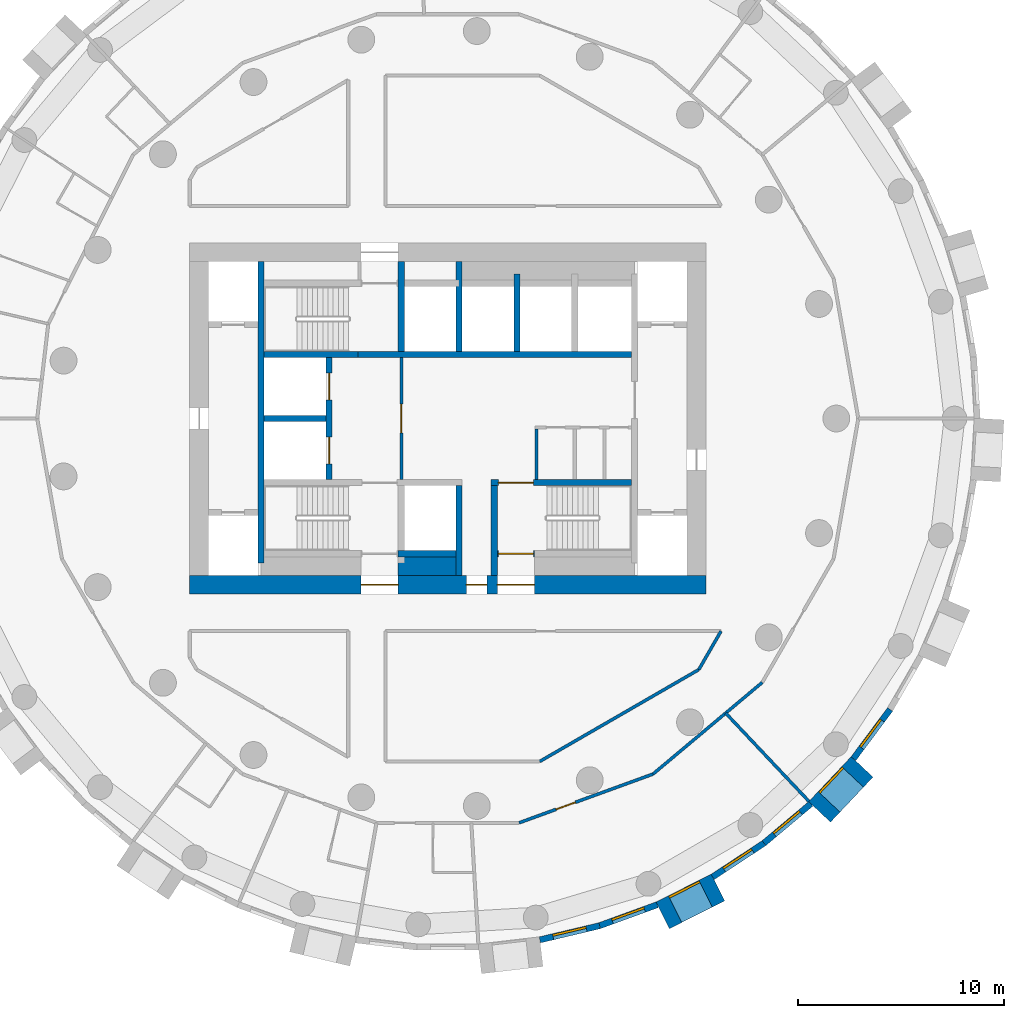
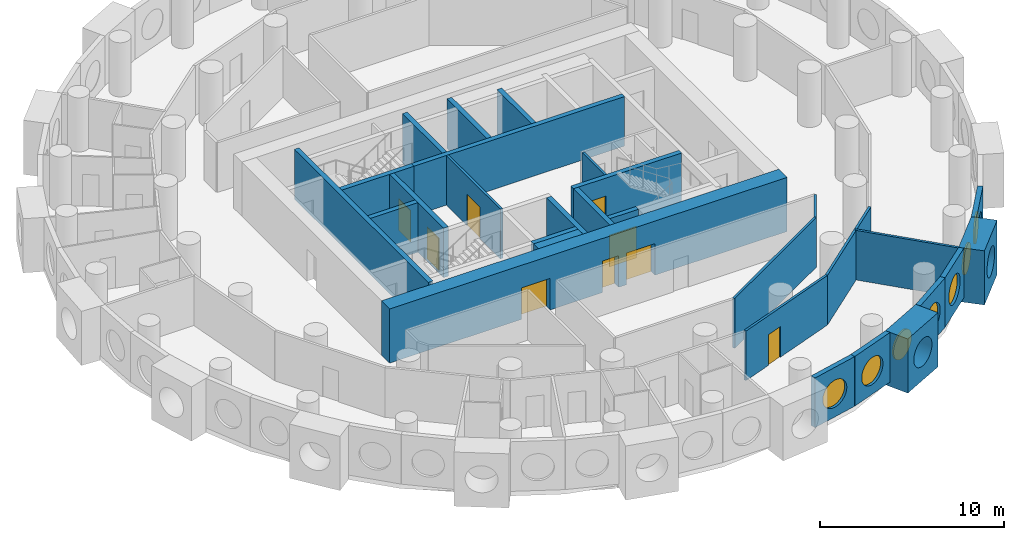
# One storey, part 4 of 9: 29 walls, 9 doors, 7 windows, 16 openings.
"""IFC4 building model written with IfcOpenShell, lengths in metres."""

from ifc_helpers import new_model, si_unit, direction, frame, frame_2d, origin, origin_2d, place, context, subcontext, project, spatial, rectangle, circle, extrude, material, layer, layer_set, type_object, element, fill, save


model = new_model("IFC4")

# Units and contexts
model_context = context("Model", 3, precision=1e-05, world=origin(), true_north=direction((0.0, 1.0)))
body_context = subcontext(model_context, "Body", "Model", "MODEL_VIEW")
ifc_project = project(units=[si_unit("LENGTHUNIT", "METRE"), si_unit("AREAUNIT", "SQUARE_METRE"), si_unit("VOLUMEUNIT", "CUBIC_METRE"), si_unit("PLANEANGLEUNIT", "RADIAN"), si_unit("MASSUNIT", "GRAM", prefix="KILO")], contexts=[model_context])

# Site, building, storey
site_placement = place(None, origin())
site = spatial("IfcSite", under=ifc_project, at=site_placement, CompositionType="ELEMENT")
building_placement = place(site_placement, origin())
building = spatial("IfcBuilding", under=site, at=building_placement, Name="Tracery Tower", CompositionType="ELEMENT")
storey_placement = place(building_placement, frame((0.0, 0.0, 180.0)))
storey = spatial("IfcBuildingStorey", under=building, at=storey_placement, Name="L46", CompositionType="ELEMENT", Elevation=180.0)

# Wall, opening, door
ifc_material_1 = material(Name="Plasterboard on steel studs", Category="steel")
ifc_layer_1 = layer(ifc_material_1, 0.14990234375)
ifc_layer_set_1 = layer_set([ifc_layer_1], Name="Core lobby partition 150")
wall_type_1 = type_object("IfcWallType", Name="Core lobby partition 150", PredefinedType="SOLIDWALL", material=ifc_layer_set_1)
wall_1_placement = place(storey_placement, frame((-2.25, -2.949951171875, 0.0), z_axis=(0.0, 0.0, 1.0), x_axis=(0.0, 1.0, 0.0)))
wall_1 = element("IfcWall", 1, at=wall_1_placement, inside=storey, type_object=wall_type_1, Name="L46 FF lobby E", PredefinedType="SOLIDWALL", context=body_context, shape_type="SweptSolid", body=[
    extrude(rectangle(XDim=5.89990234375, YDim=0.14990234375, at=frame_2d((2.949951171875, 0.0))), origin(), (0.0, 0.0, 1.0), 3.300048828125),
])
opening_1_placement = place(wall_1_placement, frame((2.25, 0.0, 0.0)))
opening_1 = element("IfcOpeningElement", 2, at=opening_1_placement, cuts=wall_1, Name="Opening KD8", PredefinedType="OPENING", context=body_context, shape_type="SweptSolid", body=[
    extrude(rectangle(XDim=1.39990234375, YDim=2.10009765625, at=frame_2d((0.699951171875, 1.050048828125))), frame((0.0, 0.074951171875, 0.0), z_axis=(0.0, -1.0, 0.0), x_axis=(1.0, 0.0, 0.0)), (0.0, 0.0, 1.0), 0.14990234375),
])
ifc_material_2 = material(Name="Steel fire door", Category="steel")
door_type_1 = type_object("IfcDoorType", Name="Core lobby door 1400 double", OperationType="NOTDEFINED", PredefinedType="DOOR", material=ifc_material_2)
door_1_placement = place(opening_1_placement, origin())
door_1 = element("IfcDoor", 3, at=door_1_placement, inside=storey, type_object=door_type_1, Name="Fire-fighting lobby door", OperationType="DOUBLE_DOOR_SINGLE_SWING", OverallHeight=2.10009765625, OverallWidth=1.39990234375, PredefinedType="DOOR", context=body_context, shape_type="SweptSolid", body=[
    extrude(rectangle(XDim=1.39990234375, YDim=2.10009765625, at=frame_2d((0.699951171875, 1.050048828125))), frame((0.0, 0.02490234375, 0.0), z_axis=(0.0, -1.0, 0.0), x_axis=(1.0, 0.0, 0.0)), (0.0, 0.0, 1.0), 0.050048828125),
])
fill(opening_1, door_1)

# Walls
ifc_material_3 = material(Name="Plasterboard on steel studs", Category="steel")
ifc_layer_2 = layer(ifc_material_3, 0.14990234375)
ifc_layer_set_2 = layer_set([ifc_layer_2], Name="Core room partition 150")
wall_type_2 = type_object("IfcWallType", Name="Core room partition 150", PredefinedType="SOLIDWALL", material=ifc_layer_set_2)
wall_2_placement = place(storey_placement, frame((4.300048828125, -2.949951171875, 0.0), z_axis=(0.0, 0.0, 1.0), x_axis=(0.0, 1.0, 0.0)))
element("IfcWall", 4, at=wall_2_placement, inside=storey, type_object=wall_type_2, Name="L46 slot W", PredefinedType="SOLIDWALL", context=body_context, shape_type="SweptSolid", body=[
    extrude(rectangle(XDim=2.449951171875, YDim=0.14990234375, at=frame_2d((1.22509765625, 0.0))), origin(), (0.0, 0.0, 1.0), 3.300048828125),
])
ifc_material_4 = material(Name="Concrete C50/60", Category="concrete")
ifc_layer_3 = layer(ifc_material_4, 0.89990234375)
ifc_layer_set_3 = layer_set([ifc_layer_3], Name="Core strip wall 900 C50")
wall_type_3 = type_object("IfcWallType", Name="Core strip wall 900 C50", PredefinedType="SOLIDWALL", material=ifc_layer_set_3)
wall_3_placement = place(storey_placement, frame((-2.39990234375, -7.14990234375, 0.0), z_axis=(0.0, 0.0, 1.0), x_axis=(1.0, 0.0, 0.0)))
element("IfcWall", 5, at=wall_3_placement, inside=storey, type_object=wall_type_3, Name="L46 F thick S mid", PredefinedType="SOLIDWALL", context=body_context, shape_type="SweptSolid", body=[
    extrude(rectangle(XDim=2.7998046875, YDim=0.89990234375, at=frame_2d((1.39990234375, 0.0))), origin(), (0.0, 0.0, 1.0), 3.300048828125),
])

# Wall, openings, doors
ifc_material_5 = material(Name="Concrete C50/60", Category="concrete")
ifc_layer_4 = layer(ifc_material_5, 0.89990234375)
ifc_layer_set_4 = layer_set([ifc_layer_4], Name="Core wall 900 C50")
wall_type_4 = type_object("IfcWallType", Name="Core wall 900 C50", PredefinedType="SOLIDWALL", material=ifc_layer_set_4)
wall_4_placement = place(storey_placement, frame((-12.5, -8.050048828125, 0.0), z_axis=(0.0, 0.0, 1.0), x_axis=(1.0, 0.0, 0.0)))
wall_4 = element("IfcWall", 6, at=wall_4_placement, inside=storey, type_object=wall_type_4, Name="L46 outer S", PredefinedType="SOLIDWALL", context=body_context, shape_type="SweptSolid", body=[
    extrude(rectangle(XDim=25.0, YDim=0.89990234375, at=frame_2d((12.5, 0.0))), origin(), (0.0, 0.0, 1.0), 3.60009765625),
])
opening_2_placement = place(wall_4_placement, frame((13.39990234375, 0.0, 0.0)))
opening_2 = element("IfcOpeningElement", 7, at=opening_2_placement, cuts=wall_4, Name="Opening KD16", PredefinedType="OPENING", context=body_context, shape_type="SweptSolid", body=[
    extrude(rectangle(XDim=1.0, YDim=2.10009765625, at=frame_2d((0.5, 1.050048828125))), frame((0.0, 0.449951171875, 0.0), z_axis=(0.0, -1.0, 0.0), x_axis=(1.0, 0.0, 0.0)), (0.0, 0.0, 1.0), 0.89990234375),
])
opening_3_placement = place(wall_4_placement, frame((8.300048828125, 0.0, 0.0)))
opening_3 = element("IfcOpeningElement", 8, at=opening_3_placement, cuts=wall_4, Name="Opening KD13", PredefinedType="OPENING", context=body_context, shape_type="SweptSolid", body=[
    extrude(rectangle(XDim=1.800048828125, YDim=2.10009765625, at=frame_2d((0.89990234375, 1.050048828125))), frame((0.0, 0.449951171875, 0.0), z_axis=(0.0, -1.0, 0.0), x_axis=(1.0, 0.0, 0.0)), (0.0, 0.0, 1.0), 0.89990234375),
])
opening_4_placement = place(wall_4_placement, frame((14.89990234375, 0.0, 0.0)))
opening_4 = element("IfcOpeningElement", 9, at=opening_4_placement, cuts=wall_4, Name="Opening KD13", PredefinedType="OPENING", context=body_context, shape_type="SweptSolid", body=[
    extrude(rectangle(XDim=1.800048828125, YDim=2.10009765625, at=frame_2d((0.89990234375, 1.050048828125))), frame((0.0, 0.449951171875, 0.0), z_axis=(0.0, -1.0, 0.0), x_axis=(1.0, 0.0, 0.0)), (0.0, 0.0, 1.0), 0.89990234375),
])
ifc_material_6 = material(Name="Steel fire door", Category="steel")
door_type_2 = type_object("IfcDoorType", Name="Core exit door 1000", OperationType="NOTDEFINED", PredefinedType="DOOR", material=ifc_material_6)
door_2_placement = place(opening_2_placement, origin())
door_2 = element("IfcDoor", 10, at=door_2_placement, inside=storey, type_object=door_type_2, Name="Core exit door", OperationType="SINGLE_SWING_LEFT", OverallHeight=2.10009765625, OverallWidth=1.0, PredefinedType="DOOR", context=body_context, shape_type="SweptSolid", body=[
    extrude(rectangle(XDim=1.0, YDim=2.10009765625, at=frame_2d((0.5, 1.050048828125))), frame((0.0, 0.02490234375, 0.0), z_axis=(0.0, -1.0, 0.0), x_axis=(1.0, 0.0, 0.0)), (0.0, 0.0, 1.0), 0.050048828125),
])
fill(opening_2, door_2)
ifc_material_7 = material(Name="Steel fire door", Category="steel")
door_type_3 = type_object("IfcDoorType", Name="Core exit door 1800 double", OperationType="NOTDEFINED", PredefinedType="DOOR", material=ifc_material_7)
door_3_placement = place(opening_3_placement, origin())
door_3 = element("IfcDoor", 11, at=door_3_placement, inside=storey, type_object=door_type_3, Name="Core exit door", OperationType="DOUBLE_DOOR_SINGLE_SWING", OverallHeight=2.10009765625, OverallWidth=1.800048828125, PredefinedType="DOOR", context=body_context, shape_type="SweptSolid", body=[
    extrude(rectangle(XDim=1.800048828125, YDim=2.10009765625, at=frame_2d((0.89990234375, 1.050048828125))), frame((0.0, 0.02490234375, 0.0), z_axis=(0.0, -1.0, 0.0), x_axis=(1.0, 0.0, 0.0)), (0.0, 0.0, 1.0), 0.050048828125),
])
fill(opening_3, door_3)
door_4_placement = place(opening_4_placement, origin())
door_4 = element("IfcDoor", 12, at=door_4_placement, inside=storey, type_object=door_type_3, Name="Core exit door", OperationType="DOUBLE_DOOR_SINGLE_SWING", OverallHeight=2.10009765625, OverallWidth=1.800048828125, PredefinedType="DOOR", context=body_context, shape_type="SweptSolid", body=[
    extrude(rectangle(XDim=1.800048828125, YDim=2.10009765625, at=frame_2d((0.89990234375, 1.050048828125))), frame((0.0, 0.02490234375, 0.0), z_axis=(0.0, -1.0, 0.0), x_axis=(1.0, 0.0, 0.0)), (0.0, 0.0, 1.0), 0.050048828125),
])
fill(opening_4, door_4)

# Wall, opening, window
ifc_material_8 = material(Name="Precast concrete C50/60", Category="concrete")
ifc_layer_5 = layer(ifc_material_8, 1.449951171875)
ifc_layer_set_5 = layer_set([ifc_layer_5], Name="Deep-set bay unit 3000 x 3600, slab edge 300")
wall_type_5 = type_object("IfcWallType", Name="Deep-set bay unit 3000 x 3600, slab edge 300", PredefinedType="ELEMENTEDWALL", material=ifc_layer_set_5)
wall_5_placement = place(storey_placement, frame((10.40869140625, -24.067626953125, -0.300048828125), z_axis=(0.0, 0.0, 1.0), x_axis=(0.893628249713, 0.448807922518, 0.0)))
wall_5 = element("IfcWall", 13, at=wall_5_placement, inside=storey, type_object=wall_type_5, Name="Deep-set bay unit 45 at L46", PredefinedType="ELEMENTEDWALL", context=body_context, shape_type="SweptSolid", body=[
    extrude(rectangle(XDim=3.0, YDim=1.449951171875, at=frame_2d((1.5, 0.0))), origin(), (0.0, 0.0, 1.0), 3.60009765625),
])
opening_5_placement = place(wall_5_placement, frame((1.5, 0.0, 1.85009765625)))
opening_5 = element("IfcOpeningElement", 14, at=opening_5_placement, cuts=wall_5, Name="Opening WN1", PredefinedType="OPENING", context=body_context, shape_type="SweptSolid", body=[
    extrude(circle(Radius=0.9000244140625, at=origin_2d()), frame((0.0, 0.73486328125, 0.0), z_axis=(0.0, -1.0, 0.0), x_axis=(1.0, 0.0, 0.0)), (0.0, 0.0, 1.0), 1.469970703125),
])
ifc_material_9 = material(Name="Aluminium frame with tinted double glazing", Category="aluminium")
window_type = type_object("IfcWindowType", Name="Round window 1800", PartitioningType="SINGLE_PANEL", PredefinedType="WINDOW", material=ifc_material_9)
window_1_placement = place(opening_5_placement, origin())
window_1 = element("IfcWindow", 15, at=window_1_placement, inside=storey, type_object=window_type, Name="Round window 45 at L46", OverallHeight=1.800048828125, OverallWidth=1.800048828125, PartitioningType="SINGLE_PANEL", PredefinedType="WINDOW", context=body_context, shape_type="SweptSolid", body=[
    extrude(circle(Radius=0.9000244140625, at=origin_2d()), frame((0.0, 0.69482421875, 0.0), z_axis=(0.0, -1.0, 0.0), x_axis=(1.0, 0.0, 0.0)), (0.0, 0.0, 1.0), 0.10009765625),
])
fill(opening_5, window_1)

wall_6_placement = place(storey_placement, frame((18.0126953125, -19.05615234375, -0.300048828125), z_axis=(0.0, 0.0, 1.0), x_axis=(0.686217177108, 0.727396718334, 0.0)))
wall_6 = element("IfcWall", 16, at=wall_6_placement, inside=storey, type_object=wall_type_5, Name="Deep-set bay unit 48 at L46", PredefinedType="ELEMENTEDWALL", context=body_context, shape_type="SweptSolid", body=[
    extrude(rectangle(XDim=3.0, YDim=1.449951171875, at=frame_2d((1.5, 0.0))), origin(), (0.0, 0.0, 1.0), 3.60009765625),
])
opening_6_placement = place(wall_6_placement, frame((1.5, 0.0, 1.85009765625)))
opening_6 = element("IfcOpeningElement", 17, at=opening_6_placement, cuts=wall_6, Name="Opening WN1", PredefinedType="OPENING", context=body_context, shape_type="SweptSolid", body=[
    extrude(circle(Radius=0.9000244140625, at=origin_2d()), frame((0.0, 0.73486328125, 0.0), z_axis=(0.0, -1.0, 0.0), x_axis=(1.0, 0.0, 0.0)), (0.0, 0.0, 1.0), 1.469970703125),
])
window_2_placement = place(opening_6_placement, origin())
window_2 = element("IfcWindow", 18, at=window_2_placement, inside=storey, type_object=window_type, Name="Round window 48 at L46", OverallHeight=1.800048828125, OverallWidth=1.800048828125, PartitioningType="SINGLE_PANEL", PredefinedType="WINDOW", context=body_context, shape_type="SweptSolid", body=[
    extrude(circle(Radius=0.9000244140625, at=origin_2d()), frame((0.0, 0.69482421875, 0.0), z_axis=(0.0, -1.0, 0.0), x_axis=(1.0, 0.0, 0.0)), (0.0, 0.0, 1.0), 0.10009765625),
])
fill(opening_6, window_2)

ifc_material_10 = material(Name="Precast concrete C50/60", Category="concrete")
ifc_layer_6 = layer(ifc_material_10, 0.300048828125)
ifc_layer_set_6 = layer_set([ifc_layer_6], Name="Facade panel 3000 x 3300")
wall_type_6 = type_object("IfcWallType", Name="Facade panel 3000 x 3300", PredefinedType="SOLIDWALL", material=ifc_layer_set_6)
wall_7_placement = place(storey_placement, frame((4.463134765625, -25.255615234375, 0.0), z_axis=(0.0, 0.0, 1.0), x_axis=(0.973045378923, 0.230613725862, 0.0)))
wall_7 = element("IfcWall", 19, at=wall_7_placement, inside=storey, type_object=wall_type_6, Name="Facade panel 43 at L46", PredefinedType="SOLIDWALL", context=body_context, shape_type="SweptSolid", body=[
    extrude(rectangle(XDim=2.97265625, YDim=0.300048828125, at=frame_2d((1.486328125, 0.0))), origin(), (0.0, 0.0, 1.0), 3.300048828125),
])
opening_7_placement = place(wall_7_placement, frame((1.486328125, 0.0, 1.5498046875)))
opening_7 = element("IfcOpeningElement", 20, at=opening_7_placement, cuts=wall_7, Name="Opening WN1", PredefinedType="OPENING", context=body_context, shape_type="SweptSolid", body=[
    extrude(circle(Radius=0.9000244140625, at=origin_2d()), frame((0.0, 0.159912109375, 0.0), z_axis=(0.0, -1.0, 0.0), x_axis=(1.0, 0.0, 0.0)), (0.0, 0.0, 1.0), 0.320068359375),
])
window_3_placement = place(opening_7_placement, origin())
window_3 = element("IfcWindow", 21, at=window_3_placement, inside=storey, type_object=window_type, Name="Round window 43 at L46", OverallHeight=1.800048828125, OverallWidth=1.800048828125, PartitioningType="SINGLE_PANEL", PredefinedType="WINDOW", context=body_context, shape_type="SweptSolid", body=[
    extrude(circle(Radius=0.9000244140625, at=origin_2d()), frame((0.0, 0.1201171875, 0.0), z_axis=(0.0, -1.0, 0.0), x_axis=(1.0, 0.0, 0.0)), (0.0, 0.0, 1.0), 0.10009765625),
])
fill(opening_7, window_3)

wall_8_placement = place(storey_placement, frame((7.355712890625, -24.570068359375, 0.0), z_axis=(0.0, 0.0, 1.0), x_axis=(0.939690282133, 0.342026568652, 0.0)))
wall_8 = element("IfcWall", 22, at=wall_8_placement, inside=storey, type_object=wall_type_6, Name="Facade panel 44 at L46", PredefinedType="SOLIDWALL", context=body_context, shape_type="SweptSolid", body=[
    extrude(rectangle(XDim=2.972900390625, YDim=0.300048828125, at=frame_2d((1.486328125, 0.0))), origin(), (0.0, 0.0, 1.0), 3.300048828125),
])
opening_8_placement = place(wall_8_placement, frame((1.486328125, 0.0, 1.5498046875)))
opening_8 = element("IfcOpeningElement", 23, at=opening_8_placement, cuts=wall_8, Name="Opening WN1", PredefinedType="OPENING", context=body_context, shape_type="SweptSolid", body=[
    extrude(circle(Radius=0.9000244140625, at=origin_2d()), frame((0.0, 0.159912109375, 0.0), z_axis=(0.0, -1.0, 0.0), x_axis=(1.0, 0.0, 0.0)), (0.0, 0.0, 1.0), 0.320068359375),
])
window_4_placement = place(opening_8_placement, origin())
window_4 = element("IfcWindow", 24, at=window_4_placement, inside=storey, type_object=window_type, Name="Round window 44 at L46", OverallHeight=1.800048828125, OverallWidth=1.800048828125, PartitioningType="SINGLE_PANEL", PredefinedType="WINDOW", context=body_context, shape_type="SweptSolid", body=[
    extrude(circle(Radius=0.9000244140625, at=origin_2d()), frame((0.0, 0.1201171875, 0.0), z_axis=(0.0, -1.0, 0.0), x_axis=(1.0, 0.0, 0.0)), (0.0, 0.0, 1.0), 0.10009765625),
])
fill(opening_8, window_4)

wall_9_placement = place(storey_placement, frame((12.831787109375, -22.2060546875, 0.0), z_axis=(0.0, 0.0, 1.0), x_axis=(0.835508361394, 0.54947773207, 0.0)))
wall_9 = element("IfcWall", 25, at=wall_9_placement, inside=storey, type_object=wall_type_6, Name="Facade panel 46 at L46", PredefinedType="SOLIDWALL", context=body_context, shape_type="SweptSolid", body=[
    extrude(rectangle(XDim=2.972900390625, YDim=0.300048828125, at=frame_2d((1.486328125, 0.0))), origin(), (0.0, 0.0, 1.0), 3.300048828125),
])
opening_9_placement = place(wall_9_placement, frame((1.486328125, 0.0, 1.5498046875)))
opening_9 = element("IfcOpeningElement", 26, at=opening_9_placement, cuts=wall_9, Name="Opening WN1", PredefinedType="OPENING", context=body_context, shape_type="SweptSolid", body=[
    extrude(circle(Radius=0.9000244140625, at=origin_2d()), frame((0.0, 0.159912109375, 0.0), z_axis=(0.0, -1.0, 0.0), x_axis=(1.0, 0.0, 0.0)), (0.0, 0.0, 1.0), 0.320068359375),
])
window_5_placement = place(opening_9_placement, origin())
window_5 = element("IfcWindow", 27, at=window_5_placement, inside=storey, type_object=window_type, Name="Round window 46 at L46", OverallHeight=1.800048828125, OverallWidth=1.800048828125, PartitioningType="SINGLE_PANEL", PredefinedType="WINDOW", context=body_context, shape_type="SweptSolid", body=[
    extrude(circle(Radius=0.9000244140625, at=origin_2d()), frame((0.0, 0.1201171875, 0.0), z_axis=(0.0, -1.0, 0.0), x_axis=(1.0, 0.0, 0.0)), (0.0, 0.0, 1.0), 0.10009765625),
])
fill(opening_9, window_5)

wall_10_placement = place(storey_placement, frame((15.315673828125, -20.572509765625, 0.0), z_axis=(0.0, 0.0, 1.0), x_axis=(0.766008913364, 0.642829950023, 0.0)))
wall_10 = element("IfcWall", 28, at=wall_10_placement, inside=storey, type_object=wall_type_6, Name="Facade panel 47 at L46", PredefinedType="SOLIDWALL", context=body_context, shape_type="SweptSolid", body=[
    extrude(rectangle(XDim=2.972900390625, YDim=0.300048828125, at=frame_2d((1.486328125, 0.0))), origin(), (0.0, 0.0, 1.0), 3.300048828125),
])
opening_10_placement = place(wall_10_placement, frame((1.486328125, 0.0, 1.5498046875)))
opening_10 = element("IfcOpeningElement", 29, at=opening_10_placement, cuts=wall_10, Name="Opening WN1", PredefinedType="OPENING", context=body_context, shape_type="SweptSolid", body=[
    extrude(circle(Radius=0.9000244140625, at=origin_2d()), frame((0.0, 0.159912109375, 0.0), z_axis=(0.0, -1.0, 0.0), x_axis=(1.0, 0.0, 0.0)), (0.0, 0.0, 1.0), 0.320068359375),
])
window_6_placement = place(opening_10_placement, origin())
window_6 = element("IfcWindow", 30, at=window_6_placement, inside=storey, type_object=window_type, Name="Round window 47 at L46", OverallHeight=1.800048828125, OverallWidth=1.800048828125, PartitioningType="SINGLE_PANEL", PredefinedType="WINDOW", context=body_context, shape_type="SweptSolid", body=[
    extrude(circle(Radius=0.9000244140625, at=origin_2d()), frame((0.0, 0.1201171875, 0.0), z_axis=(0.0, -1.0, 0.0), x_axis=(1.0, 0.0, 0.0)), (0.0, 0.0, 1.0), 0.10009765625),
])
fill(opening_10, window_6)

wall_11_placement = place(storey_placement, frame((19.65283203125, -16.47802734375, 0.0), z_axis=(0.0, 0.0, 1.0), x_axis=(0.597197580538, 0.80209416517, 0.0)))
wall_11 = element("IfcWall", 31, at=wall_11_placement, inside=storey, type_object=wall_type_6, Name="Facade panel 49 at L46", PredefinedType="SOLIDWALL", context=body_context, shape_type="SweptSolid", body=[
    extrude(rectangle(XDim=2.972900390625, YDim=0.300048828125, at=frame_2d((1.486328125, 0.0))), origin(), (0.0, 0.0, 1.0), 3.300048828125),
])
opening_11_placement = place(wall_11_placement, frame((1.486328125, 0.0, 1.5498046875)))
opening_11 = element("IfcOpeningElement", 32, at=opening_11_placement, cuts=wall_11, Name="Opening WN1", PredefinedType="OPENING", context=body_context, shape_type="SweptSolid", body=[
    extrude(circle(Radius=0.9000244140625, at=origin_2d()), frame((0.0, 0.159912109375, 0.0), z_axis=(0.0, -1.0, 0.0), x_axis=(1.0, 0.0, 0.0)), (0.0, 0.0, 1.0), 0.320068359375),
])
window_7_placement = place(opening_11_placement, origin())
window_7 = element("IfcWindow", 33, at=window_7_placement, inside=storey, type_object=window_type, Name="Round window 49 at L46", OverallHeight=1.800048828125, OverallWidth=1.800048828125, PartitioningType="SINGLE_PANEL", PredefinedType="WINDOW", context=body_context, shape_type="SweptSolid", body=[
    extrude(circle(Radius=0.9000244140625, at=origin_2d()), frame((0.0, 0.1201171875, 0.0), z_axis=(0.0, -1.0, 0.0), x_axis=(1.0, 0.0, 0.0)), (0.0, 0.0, 1.0), 0.10009765625),
])
fill(opening_11, window_7)

# Walls
ifc_material_11 = material(Name="Plasterboard on steel studs", Category="steel")
ifc_layer_7 = layer(ifc_material_11, 0.14990234375)
ifc_layer_set_7 = layer_set([ifc_layer_7], Name="Partition 150 acoustic unit wall")
wall_type_7 = type_object("IfcWallType", Name="Partition 150 acoustic unit wall", PredefinedType="PARTITIONING", material=ifc_layer_set_7)
wall_12_placement = place(storey_placement, frame((13.462890625, -14.27001953125, 0.0), z_axis=(0.0, 0.0, 1.0), x_axis=(0.6862502776, -0.72736549031, 0.0)))
element("IfcWall", 34, at=wall_12_placement, inside=storey, type_object=wall_type_7, Name="Unit wall RB6-067", PredefinedType="PARTITIONING", context=body_context, shape_type="SweptSolid", body=[
    extrude(rectangle(XDim=5.878662109375, YDim=0.14990234375, at=frame_2d((2.939453125, 0.0))), origin(), (0.0, 0.0, 1.0), 3.300048828125),
])
ifc_material_12 = material(Name="Plasterboard on steel studs", Category="steel")
ifc_layer_8 = layer(ifc_material_12, 0.14990234375)
ifc_layer_set_8 = layer_set([ifc_layer_8], Name="Partition 150 corridor wall")
wall_type_8 = type_object("IfcWallType", Name="Partition 150 corridor wall", PredefinedType="PARTITIONING", material=ifc_layer_set_8)
wall_13_placement = place(storey_placement, frame((12.162109375, -12.162109375, 0.0), z_axis=(0.0, 0.0, 1.0), x_axis=(0.499961633463, 0.866047553582, 0.0)))
element("IfcWall", 35, at=wall_13_placement, inside=storey, type_object=wall_type_8, Name="Corridor wall RB6-006", PredefinedType="PARTITIONING", context=body_context, shape_type="SweptSolid", body=[
    extrude(rectangle(XDim=2.150146484375, YDim=0.14990234375, at=frame_2d((1.0751953125, 0.0))), origin(), (0.0, 0.0, 1.0), 3.300048828125),
])
wall_14_placement = place(storey_placement, frame((9.943359375, -17.22216796875, 0.0), z_axis=(0.0, 0.0, 1.0), x_axis=(0.766192104565, 0.642611592567, 0.0)))
element("IfcWall", 36, at=wall_14_placement, inside=storey, type_object=wall_type_8, Name="Corridor wall RB6-012", PredefinedType="PARTITIONING", context=body_context, shape_type="SweptSolid", body=[
    extrude(rectangle(XDim=6.906494140625, YDim=0.14990234375, at=frame_2d((3.453125, 0.0))), origin(), (0.0, 0.0, 1.0), 3.300048828125),
])
wall_15_placement = place(storey_placement, frame((4.451904296875, -16.614013671875, 0.0), z_axis=(0.0, 0.0, 1.0), x_axis=(0.866005203721, 0.500034985904, 0.0)))
element("IfcWall", 37, at=wall_15_placement, inside=storey, type_object=wall_type_8, Name="Corridor wall RB6-035", PredefinedType="PARTITIONING", context=body_context, shape_type="SweptSolid", body=[
    extrude(rectangle(XDim=8.903076171875, YDim=0.14990234375, at=frame_2d((4.45166015625, 0.0))), origin(), (0.0, 0.0, 1.0), 3.300048828125),
])

# Wall, opening, door
wall_16_placement = place(storey_placement, frame((3.452880859375, -19.5859375, 0.0), z_axis=(0.0, 0.0, 1.0), x_axis=(0.939672634566, 0.342075050021, 0.0)))
wall_16 = element("IfcWall", 38, at=wall_16_placement, inside=storey, type_object=wall_type_8, Name="Corridor wall RB6-038", PredefinedType="PARTITIONING", context=body_context, shape_type="SweptSolid", body=[
    extrude(rectangle(XDim=6.907958984375, YDim=0.14990234375, at=frame_2d((3.4541015625, 0.0))), origin(), (0.0, 0.0, 1.0), 3.300048828125),
])
opening_12_placement = place(wall_16_placement, frame((1.90380859375, 0.0, 0.0)))
opening_12 = element("IfcOpeningElement", 39, at=opening_12_placement, cuts=wall_16, Name="Opening RB6-24", PredefinedType="OPENING", context=body_context, shape_type="SweptSolid", body=[
    extrude(rectangle(XDim=1.0, YDim=2.0400390625, at=frame_2d((0.5, 1.02001953125))), frame((0.0, 0.074951171875, 0.0), z_axis=(0.0, -1.0, 0.0), x_axis=(1.0, 0.0, 0.0)), (0.0, 0.0, 1.0), 0.14990234375),
])
ifc_material_13 = material(Name="Timber door leaf", Category="wood")
door_type_4 = type_object("IfcDoorType", Name="Door communal room 1000", OperationType="NOTDEFINED", PredefinedType="DOOR", material=ifc_material_13)
door_5_placement = place(opening_12_placement, origin())
door_5 = element("IfcDoor", 40, at=door_5_placement, inside=storey, type_object=door_type_4, Name="Communal room door RB6-24", OperationType="SINGLE_SWING_RIGHT", OverallHeight=2.0400390625, OverallWidth=1.0, PredefinedType="DOOR", context=body_context, shape_type="SweptSolid", body=[
    extrude(rectangle(XDim=1.0, YDim=2.0400390625, at=frame_2d((0.5, 1.02001953125))), frame((0.0, 0.02490234375, 0.0), z_axis=(0.0, -1.0, 0.0), x_axis=(1.0, 0.0, 0.0)), (0.0, 0.0, 1.0), 0.050048828125),
])
fill(opening_12, door_5)

# Wall
ifc_material_14 = material(Name="Concrete C50/60", Category="concrete")
ifc_layer_9 = layer(ifc_material_14, 0.300048828125)
ifc_layer_set_9 = layer_set([ifc_layer_9], Name="Shaft wall 300 C50")
wall_type_9 = type_object("IfcWallType", Name="Shaft wall 300 C50", PredefinedType="SOLIDWALL", material=ifc_layer_set_9)
wall_17_placement = place(storey_placement, frame((-8.89990234375, 0.0, 0.0), z_axis=(0.0, 0.0, 1.0), x_axis=(1.0, 0.0, 0.0)))
element("IfcWall", 41, at=wall_17_placement, inside=storey, type_object=wall_type_9, Name="L46 FF split", PredefinedType="SOLIDWALL", context=body_context, shape_type="SweptSolid", body=[
    extrude(rectangle(XDim=3.0, YDim=0.300048828125, at=frame_2d((1.5, 0.0))), origin(), (0.0, 0.0, 1.0), 3.300048828125),
])

# Wall, openings, doors
wall_18_placement = place(storey_placement, frame((-5.75, -2.949951171875, 0.0), z_axis=(0.0, 0.0, 1.0), x_axis=(0.0, 1.0, 0.0)))
wall_18 = element("IfcWall", 42, at=wall_18_placement, inside=storey, type_object=wall_type_9, Name="L46 FF doors", PredefinedType="SOLIDWALL", context=body_context, shape_type="SweptSolid", body=[
    extrude(rectangle(XDim=5.89990234375, YDim=0.300048828125, at=frame_2d((2.949951171875, 0.0))), origin(), (0.0, 0.0, 1.0), 3.300048828125),
])
opening_13_placement = place(wall_18_placement, frame((0.75, 0.0, 0.0)))
opening_13 = element("IfcOpeningElement", 43, at=opening_13_placement, cuts=wall_18, Name="Opening KD54", PredefinedType="OPENING", context=body_context, shape_type="SweptSolid", body=[
    extrude(rectangle(XDim=1.300048828125, YDim=2.10009765625, at=frame_2d((0.64990234375, 1.050048828125))), frame((0.0, 0.14990234375, 0.0), z_axis=(0.0, -1.0, 0.0), x_axis=(1.0, 0.0, 0.0)), (0.0, 0.0, 1.0), 0.300048828125),
])
opening_14_placement = place(wall_18_placement, frame((3.85009765625, 0.0, 0.0)))
opening_14 = element("IfcOpeningElement", 44, at=opening_14_placement, cuts=wall_18, Name="Opening KD55", PredefinedType="OPENING", context=body_context, shape_type="SweptSolid", body=[
    extrude(rectangle(XDim=1.300048828125, YDim=2.10009765625, at=frame_2d((0.64990234375, 1.050048828125))), frame((0.0, 0.14990234375, 0.0), z_axis=(0.0, -1.0, 0.0), x_axis=(1.0, 0.0, 0.0)), (0.0, 0.0, 1.0), 0.300048828125),
])
ifc_material_15 = material(Name="Steel fire door", Category="steel")
door_type_5 = type_object("IfcDoorType", Name="Landing door FF 1300", OperationType="NOTDEFINED", PredefinedType="DOOR", material=ifc_material_15)
door_6_placement = place(opening_13_placement, origin())
door_6 = element("IfcDoor", 45, at=door_6_placement, inside=storey, type_object=door_type_5, Name="Landing door FF1", OperationType="SLIDING_TO_LEFT", OverallHeight=2.10009765625, OverallWidth=1.300048828125, PredefinedType="DOOR", context=body_context, shape_type="SweptSolid", body=[
    extrude(rectangle(XDim=1.300048828125, YDim=2.10009765625, at=frame_2d((0.64990234375, 1.050048828125))), frame((0.0, 0.02490234375, 0.0), z_axis=(0.0, -1.0, 0.0), x_axis=(1.0, 0.0, 0.0)), (0.0, 0.0, 1.0), 0.050048828125),
])
fill(opening_13, door_6)
door_7_placement = place(opening_14_placement, origin())
door_7 = element("IfcDoor", 46, at=door_7_placement, inside=storey, type_object=door_type_5, Name="Landing door FF2", OperationType="SLIDING_TO_RIGHT", OverallHeight=2.10009765625, OverallWidth=1.300048828125, PredefinedType="DOOR", context=body_context, shape_type="SweptSolid", body=[
    extrude(rectangle(XDim=1.300048828125, YDim=2.10009765625, at=frame_2d((0.64990234375, 1.050048828125))), frame((0.0, 0.02490234375, 0.0), z_axis=(0.0, -1.0, 0.0), x_axis=(1.0, 0.0, 0.0)), (0.0, 0.0, 1.0), 0.050048828125),
])
fill(opening_14, door_7)

# Walls
for number, where, z_axis, x_axis, name in (
    (47, (0.550048828125, -7.60009765625, 0.0), (0.0, 0.0, 1.0), (0.0, 1.0, 0.0), "L46 OB2 E"),
    (48, (0.550048828125, 3.25, 0.0), (0.0, 0.0, 1.0), (0.0, 1.0, 0.0), "L46 HR sep 1"),
):
    element("IfcWall", number, at=place(storey_placement, frame(where, z_axis=z_axis, x_axis=x_axis)), inside=storey, type_object=wall_type_9, Name=name, PredefinedType="SOLIDWALL", context=body_context, shape_type="SweptSolid", body=[
        extrude(rectangle(XDim=4.35009765625, YDim=0.300048828125, at=frame_2d((2.175048828125, 0.0))), origin(), (0.0, 0.0, 1.0), 3.300048828125),
    ])
wall_19_placement = place(storey_placement, frame((3.35009765625, 3.25, 0.0), z_axis=(0.0, 0.0, 1.0), x_axis=(0.0, 1.0, 0.0)))
element("IfcWall", 49, at=wall_19_placement, inside=storey, type_object=wall_type_9, Name="L46 HR sep 2", PredefinedType="SOLIDWALL", context=body_context, shape_type="SweptSolid", body=[
    extrude(rectangle(XDim=3.75, YDim=0.300048828125, at=frame_2d((1.875, 0.0))), origin(), (0.0, 0.0, 1.0), 3.300048828125),
])

# Wall, opening, door
ifc_material_16 = material(Name="Concrete C50/60", Category="concrete")
ifc_layer_10 = layer(ifc_material_16, 0.300048828125)
ifc_layer_set_10 = layer_set([ifc_layer_10], Name="Stair wall 300 C50")
wall_type_10 = type_object("IfcWallType", Name="Stair wall 300 C50", PredefinedType="SOLIDWALL", material=ifc_layer_set_10)
wall_20_placement = place(storey_placement, frame((2.10009765625, -3.10009765625, 0.0), z_axis=(0.0, 0.0, 1.0), x_axis=(1.0, 0.0, 0.0)))
wall_20 = element("IfcWall", 50, at=wall_20_placement, inside=storey, type_object=wall_type_10, Name="L46 row S E", PredefinedType="SOLIDWALL", context=body_context, shape_type="SweptSolid", body=[
    extrude(rectangle(XDim=6.7998046875, YDim=0.300048828125, at=frame_2d((3.39990234375, 0.0))), origin(), (0.0, 0.0, 1.0), 3.300048828125),
])
opening_15_placement = place(wall_20_placement, frame((0.35009765625, 0.0, 0.0)))
opening_15 = element("IfcOpeningElement", 51, at=opening_15_placement, cuts=wall_20, Name="Opening KD3", PredefinedType="OPENING", context=body_context, shape_type="SweptSolid", body=[
    extrude(rectangle(XDim=1.699951171875, YDim=2.10009765625, at=frame_2d((0.85009765625, 1.050048828125))), frame((0.0, 0.14990234375, 0.0), z_axis=(0.0, -1.0, 0.0), x_axis=(1.0, 0.0, 0.0)), (0.0, 0.0, 1.0), 0.300048828125),
])
ifc_material_17 = material(Name="Steel fire door", Category="steel")
door_type_6 = type_object("IfcDoorType", Name="Core stair door 1700 double", OperationType="NOTDEFINED", PredefinedType="DOOR", material=ifc_material_17)
door_8_placement = place(opening_15_placement, origin())
door_8 = element("IfcDoor", 52, at=door_8_placement, inside=storey, type_object=door_type_6, Name="Stair door ST2", OperationType="DOUBLE_DOOR_SINGLE_SWING", OverallHeight=2.10009765625, OverallWidth=1.699951171875, PredefinedType="DOOR", context=body_context, shape_type="SweptSolid", body=[
    extrude(rectangle(XDim=1.699951171875, YDim=2.10009765625, at=frame_2d((0.85009765625, 1.050048828125))), frame((0.0, 0.02490234375, 0.0), z_axis=(0.0, -1.0, 0.0), x_axis=(1.0, 0.0, 0.0)), (0.0, 0.0, 1.0), 0.050048828125),
])
fill(opening_15, door_8)

# Walls
wall_21_placement = place(storey_placement, frame((-8.89990234375, 3.10009765625, 0.0), z_axis=(0.0, 0.0, 1.0), x_axis=(1.0, 0.0, 0.0)))
element("IfcWall", 53, at=wall_21_placement, inside=storey, type_object=wall_type_10, Name="L46 row N W", PredefinedType="SOLIDWALL", context=body_context, shape_type="SweptSolid", body=[
    extrude(rectangle(XDim=4.5498046875, YDim=0.300048828125, at=frame_2d((2.27490234375, 0.0))), origin(), (0.0, 0.0, 1.0), 3.300048828125),
])
wall_22_placement = place(storey_placement, frame((-4.35009765625, 3.10009765625, 0.0), z_axis=(0.0, 0.0, 1.0), x_axis=(1.0, 0.0, 0.0)))
element("IfcWall", 54, at=wall_22_placement, inside=storey, type_object=wall_type_10, Name="L46 row N", PredefinedType="SOLIDWALL", context=body_context, shape_type="SweptSolid", body=[
    extrude(rectangle(XDim=13.25, YDim=0.300048828125, at=frame_2d((6.625, 0.0))), origin(), (0.0, 0.0, 1.0), 3.300048828125),
])
for number, where, z_axis, x_axis, name in (
    (55, (-2.25, 3.25, 0.0), (0.0, 0.0, 1.0), (0.0, 1.0, 0.0), "L46 ST3 E"),
    (56, (2.25, -7.60009765625, 0.0), (0.0, 0.0, 1.0), (0.0, 1.0, 0.0), "L46 ST2 W"),
):
    element("IfcWall", number, at=place(storey_placement, frame(where, z_axis=z_axis, x_axis=x_axis)), inside=storey, type_object=wall_type_10, Name=name, PredefinedType="SOLIDWALL", context=body_context, shape_type="SweptSolid", body=[
        extrude(rectangle(XDim=4.35009765625, YDim=0.300048828125, at=frame_2d((2.175048828125, 0.0))), origin(), (0.0, 0.0, 1.0), 3.300048828125),
    ])
wall_23_placement = place(storey_placement, frame((-9.050048828125, -7.0, 0.0), z_axis=(0.0, 0.0, 1.0), x_axis=(0.0, 1.0, 0.0)))
element("IfcWall", 57, at=wall_23_placement, inside=storey, type_object=wall_type_10, Name="L46 F wall -9", PredefinedType="SOLIDWALL", context=body_context, shape_type="SweptSolid", body=[
    extrude(rectangle(XDim=14.60009765625, YDim=0.300048828125, at=frame_2d((7.300048828125, 0.0))), origin(), (0.0, 0.0, 1.0), 3.300048828125),
])
wall_24_placement = place(storey_placement, frame((-2.39990234375, -6.550048828125, 0.0), z_axis=(0.0, 0.0, 1.0), x_axis=(1.0, 0.0, 0.0)))
element("IfcWall", 58, at=wall_24_placement, inside=storey, type_object=wall_type_10, Name="L46 F stair strip S mid", PredefinedType="SOLIDWALL", context=body_context, shape_type="SweptSolid", body=[
    extrude(rectangle(XDim=2.7998046875, YDim=0.300048828125, at=frame_2d((1.39990234375, 0.0))), origin(), (0.0, 0.0, 1.0), 3.300048828125),
])

# Wall, opening, door
wall_25_placement = place(storey_placement, frame((2.39990234375, -6.550048828125, 0.0), z_axis=(0.0, 0.0, 1.0), x_axis=(1.0, 0.0, 0.0)))
wall_25 = element("IfcWall", 59, at=wall_25_placement, inside=storey, type_object=wall_type_10, Name="L46 F stair S E", PredefinedType="SOLIDWALL", context=body_context, shape_type="SweptSolid", body=[
    extrude(rectangle(XDim=1.800048828125, YDim=0.300048828125, at=frame_2d((0.89990234375, 0.0))), origin(), (0.0, 0.0, 1.0), 3.300048828125),
])
opening_16_placement = place(wall_25_placement, frame((0.050048828125, 0.0, 0.0)))
opening_16 = element("IfcOpeningElement", 60, at=opening_16_placement, cuts=wall_25, Name="Opening KD3", PredefinedType="OPENING", context=body_context, shape_type="SweptSolid", body=[
    extrude(rectangle(XDim=1.699951171875, YDim=2.10009765625, at=frame_2d((0.85009765625, 1.050048828125))), frame((0.0, 0.14990234375, 0.0), z_axis=(0.0, -1.0, 0.0), x_axis=(1.0, 0.0, 0.0)), (0.0, 0.0, 1.0), 0.300048828125),
])
door_9_placement = place(opening_16_placement, origin())
door_9 = element("IfcDoor", 61, at=door_9_placement, inside=storey, type_object=door_type_6, Name="Stair door vest", OperationType="DOUBLE_DOOR_SINGLE_SWING", OverallHeight=2.10009765625, OverallWidth=1.699951171875, PredefinedType="DOOR", context=body_context, shape_type="SweptSolid", body=[
    extrude(rectangle(XDim=1.699951171875, YDim=2.10009765625, at=frame_2d((0.85009765625, 1.050048828125))), frame((0.0, 0.02490234375, 0.0), z_axis=(0.0, -1.0, 0.0), x_axis=(1.0, 0.0, 0.0)), (0.0, 0.0, 1.0), 0.050048828125),
])
fill(opening_16, door_9)

save(model, "model.ifc")
